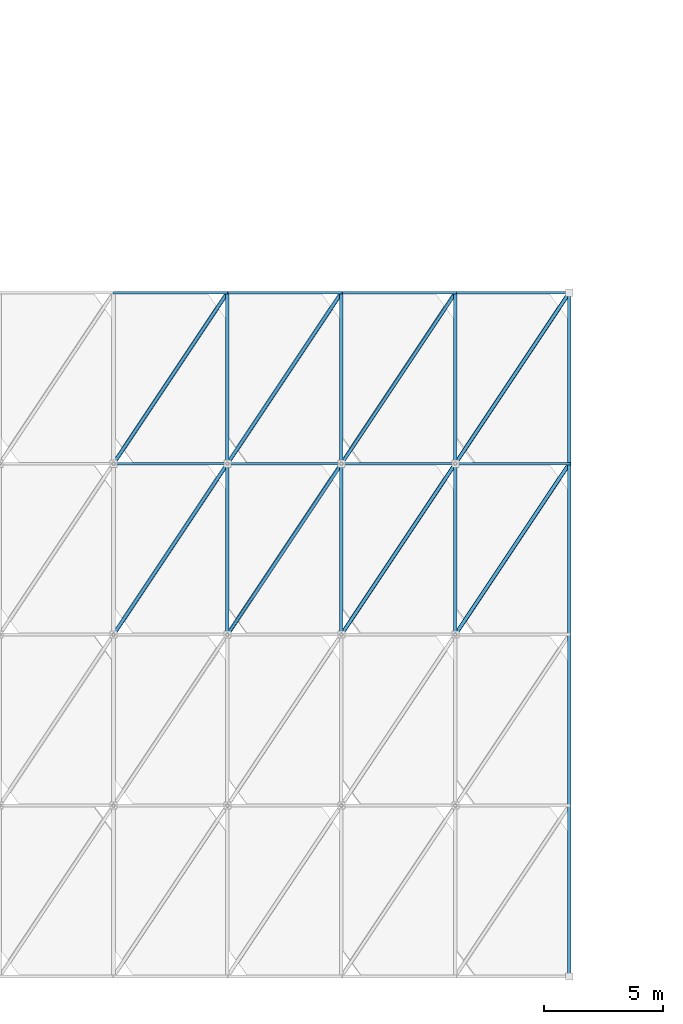
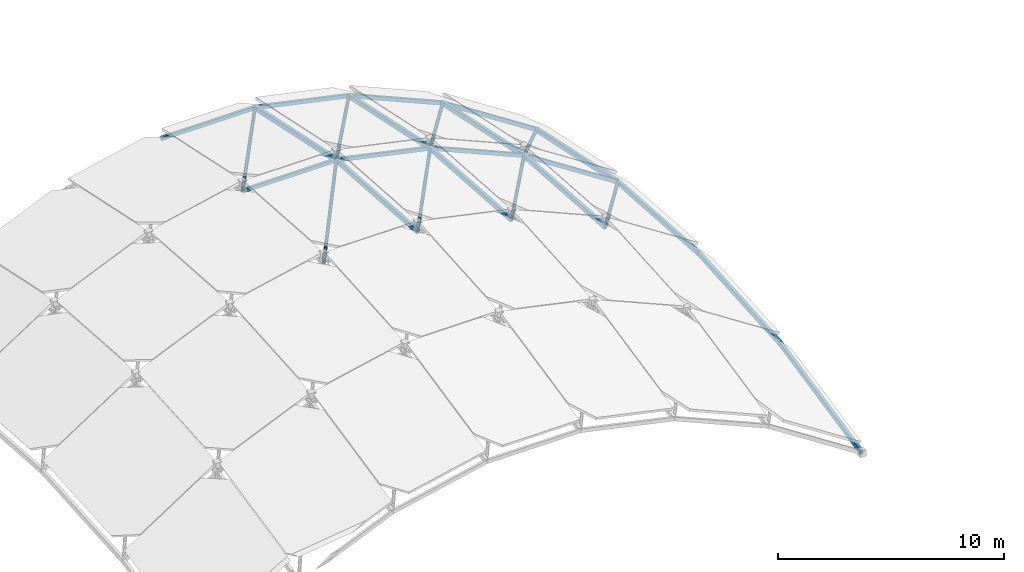
# One storey, part 2 of 9: 26 members.
"""IFC4 building model written with IfcOpenShell, lengths in metres."""

from ifc_helpers import new_model, si_unit, direction, frame, origin, origin_2d, place, context, subcontext, project, spatial, hollow_rectangle, hollow_circle, extrude, material, material_profile, profile_set, type_object, element, save


model = new_model("IFC4")

# Units and contexts
model_context = context("Model", 3, precision=1e-05, world=origin(), true_north=direction((0.0, 1.0)))
body_context = subcontext(model_context, "Body", "Model", "MODEL_VIEW")
ifc_project = project(units=[si_unit("LENGTHUNIT", "METRE"), si_unit("AREAUNIT", "SQUARE_METRE"), si_unit("VOLUMEUNIT", "CUBIC_METRE"), si_unit("PLANEANGLEUNIT", "RADIAN"), si_unit("MASSUNIT", "GRAM", prefix="KILO")], contexts=[model_context])

# Site, building, storey
site_placement = place(None, origin())
site = spatial("IfcSite", under=ifc_project, at=site_placement, CompositionType="ELEMENT")
building_placement = place(site_placement, origin())
building = spatial("IfcBuilding", under=site, at=building_placement, Name="Kahlenmark Community Centre", CompositionType="ELEMENT")
storey_placement = place(building_placement, frame((0.0, 0.0, 25.199951171875)))
storey = spatial("IfcBuildingStorey", under=building, at=storey_placement, Name="RF", CompositionType="ELEMENT", Elevation=25.199951171875)

# Members
ifc_material = material(Name="Steel S355", Category="steel")
ifc_material_profile_1 = material_profile(ifc_material, hollow_circle(Radius=0.084228515625, WallThickness=0.008056640625, at=origin_2d()), Name="CHS 168.3x8")
ifc_profile_set_1 = profile_set([ifc_material_profile_1], Name="Steel S355")
member_type_1 = type_object("IfcMemberType", Name="MT-BRACE-CHS168.3x8", PredefinedType="BRACE", material=ifc_profile_set_1)
member_1_placement = place(storey_placement, frame((26.800048828125, 23.199951171875, 1.069580078125), z_axis=(0.553780322332, 0.830656400279, -0.057769362754), x_axis=(-0.832045953765, 0.554706707029, 0.0)))
element("IfcMember", 1, at=member_1_placement, inside=storey, type_object=member_type_1, Name="RF brace GS-DIAG", PredefinedType="BRACE", context=body_context, shape_type="SweptSolid", body=[
    extrude(hollow_circle(Radius=0.084228515625, WallThickness=0.008056640625, at=origin_2d()), origin(), (0.0, 0.0, 1.0), 8.667724609375),
])
member_2_placement = place(storey_placement, frame((26.800048828125, 30.39990234375, 0.56884765625), z_axis=(0.546192358301, 0.819302427701, -0.174405962332), x_axis=(-0.832054634757, 0.554693685541, 0.0)))
element("IfcMember", 2, at=member_2_placement, inside=storey, type_object=member_type_1, Name="RF brace GS-DIAG", PredefinedType="BRACE", context=body_context, shape_type="SweptSolid", body=[
    extrude(hollow_circle(Radius=0.084228515625, WallThickness=0.008056640625, at=origin_2d()), origin(), (0.0, 0.0, 1.0), 8.7880859375),
])
member_3_placement = place(storey_placement, frame((31.60009765625, 23.199951171875, 1.069580078125), z_axis=(0.546105729089, 0.819186371137, -0.175220495376), x_axis=(-0.832058975466, 0.554687174313, 0.0)))
element("IfcMember", 3, at=member_3_placement, inside=storey, type_object=member_type_1, Name="RF brace GS-DIAG", PredefinedType="BRACE", context=body_context, shape_type="SweptSolid", body=[
    extrude(hollow_circle(Radius=0.084228515625, WallThickness=0.008056640625, at=origin_2d()), origin(), (0.0, 0.0, 1.0), 8.7890625),
])
member_4_placement = place(storey_placement, frame((31.60009765625, 30.39990234375, 0.56884765625), z_axis=(0.531681383636, 0.797576163081, -0.284933624516), x_axis=(-0.832067655982, 0.554674152876, 0.0)))
element("IfcMember", 4, at=member_4_placement, inside=storey, type_object=member_type_1, Name="RF brace GS-DIAG", PredefinedType="BRACE", context=body_context, shape_type="SweptSolid", body=[
    extrude(hollow_circle(Radius=0.084228515625, WallThickness=0.008056640625, at=origin_2d()), origin(), (0.0, 0.0, 1.0), 9.027587890625),
])
member_5_placement = place(storey_placement, frame((36.39990234375, 23.199951171875, 0.0302734375), z_axis=(0.531589200155, 0.797370281357, -0.285680865105), x_axis=(-0.832045953765, 0.554706707029, 0.0)))
element("IfcMember", 5, at=member_5_placement, inside=storey, type_object=member_type_1, Name="RF brace GS-DIAG", PredefinedType="BRACE", context=body_context, shape_type="SweptSolid", body=[
    extrude(hollow_circle(Radius=0.084228515625, WallThickness=0.008056640625, at=origin_2d()), origin(), (0.0, 0.0, 1.0), 9.029541015625),
])
member_6_placement = place(storey_placement, frame((36.39990234375, 30.39990234375, -0.470458984375), z_axis=(0.511900060149, 0.767863108383, -0.385155261166), x_axis=(-0.832054634757, 0.554693685541, 0.0)))
element("IfcMember", 6, at=member_6_placement, inside=storey, type_object=member_type_1, Name="RF brace GS-DIAG", PredefinedType="BRACE", context=body_context, shape_type="SweptSolid", body=[
    extrude(hollow_circle(Radius=0.084228515625, WallThickness=0.008056640625, at=origin_2d()), origin(), (0.0, 0.0, 1.0), 9.376953125),
])
member_7_placement = place(storey_placement, frame((41.199951171875, 23.199951171875, -2.04833984375), z_axis=(0.511756198163, 0.767621282744, -0.385827888987), x_axis=(-0.832045953765, 0.554706707029, 0.0)))
element("IfcMember", 7, at=member_7_placement, inside=storey, type_object=member_type_1, Name="RF brace GS-DIAG", PredefinedType="BRACE", context=body_context, shape_type="SweptSolid", body=[
    extrude(hollow_circle(Radius=0.084228515625, WallThickness=0.008056640625, at=origin_2d()), origin(), (0.0, 0.0, 1.0), 9.379638671875),
])
member_8_placement = place(storey_placement, frame((41.199951171875, 30.39990234375, -2.54931640625), z_axis=(0.488602524078, 0.732916211796, -0.473393493778), x_axis=(-0.832054634757, 0.554693685541, 0.0)))
element("IfcMember", 8, at=member_8_placement, inside=storey, type_object=member_type_1, Name="RF brace GS-DIAG", PredefinedType="BRACE", context=body_context, shape_type="SweptSolid", body=[
    extrude(hollow_circle(Radius=0.084228515625, WallThickness=0.008056640625, at=origin_2d()), origin(), (0.0, 0.0, 1.0), 9.823974609375),
])
ifc_material_profile_2 = material_profile(ifc_material, hollow_rectangle(XDim=0.1201171875, YDim=0.199951171875, WallThickness=0.008056640625, at=origin_2d()), Name="RHS 200x120x8")
ifc_profile_set_2 = profile_set([ifc_material_profile_2], Name="Steel S355")
member_type_2 = type_object("IfcMemberType", Name="MT-RAFTER-RHS200x120x8", PredefinedType="RAFTER", material=ifc_profile_set_2)
member_9_placement = place(storey_placement, frame((26.800048828125, 30.39990234375, 0.56884765625), z_axis=(1.0, 0.0, 0.0), x_axis=(0.0, 1.0, 0.0)))
element("IfcMember", 9, at=member_9_placement, inside=storey, type_object=member_type_2, Name="RF rafter GS-RIB-L", PredefinedType="RAFTER", context=body_context, shape_type="SweptSolid", body=[
    extrude(hollow_rectangle(XDim=0.1201171875, YDim=0.199951171875, WallThickness=0.008056640625, at=origin_2d()), origin(), (0.0, 0.0, 1.0), 4.800048828125),
])
member_10_placement = place(storey_placement, frame((31.60009765625, 30.39990234375, 0.56884765625), z_axis=(0.977350566767, 0.0, -0.211626722417), x_axis=(0.0, 1.0, 0.0)))
element("IfcMember", 10, at=member_10_placement, inside=storey, type_object=member_type_2, Name="RF rafter GS-RIB-L", PredefinedType="RAFTER", context=body_context, shape_type="SweptSolid", body=[
    extrude(hollow_rectangle(XDim=0.1201171875, YDim=0.199951171875, WallThickness=0.008056640625, at=origin_2d()), origin(), (0.0, 0.0, 1.0), 4.9111328125),
])
member_11_placement = place(storey_placement, frame((36.39990234375, 30.39990234375, -0.470458984375), z_axis=(0.917636770837, 0.0, -0.397420126325), x_axis=(0.0, 1.0, 0.0)))
element("IfcMember", 11, at=member_11_placement, inside=storey, type_object=member_type_2, Name="RF rafter GS-RIB-L", PredefinedType="RAFTER", context=body_context, shape_type="SweptSolid", body=[
    extrude(hollow_rectangle(XDim=0.1201171875, YDim=0.199951171875, WallThickness=0.008056640625, at=origin_2d()), origin(), (0.0, 0.0, 1.0), 5.23095703125),
])
member_12_placement = place(storey_placement, frame((41.199951171875, 30.39990234375, -2.54931640625), z_axis=(0.838612166546, 0.0, -0.54472895473), x_axis=(0.0, 1.0, 0.0)))
element("IfcMember", 12, at=member_12_placement, inside=storey, type_object=member_type_2, Name="RF rafter GS-RIB-L", PredefinedType="RAFTER", context=body_context, shape_type="SweptSolid", body=[
    extrude(hollow_rectangle(XDim=0.1201171875, YDim=0.199951171875, WallThickness=0.008056640625, at=origin_2d()), origin(), (0.0, 0.0, 1.0), 5.723876953125),
])
member_13_placement = place(storey_placement, frame((26.800048828125, 37.60009765625, -0.9638671875), z_axis=(1.0, 0.0, 0.0), x_axis=(0.0, 1.0, 0.0)))
element("IfcMember", 13, at=member_13_placement, inside=storey, type_object=member_type_2, Name="RF rafter GS-RIB-L", PredefinedType="RAFTER", context=body_context, shape_type="SweptSolid", body=[
    extrude(hollow_rectangle(XDim=0.1201171875, YDim=0.199951171875, WallThickness=0.008056640625, at=origin_2d()), origin(), (0.0, 0.0, 1.0), 4.800048828125),
])
member_14_placement = place(storey_placement, frame((31.60009765625, 37.60009765625, -0.9638671875), z_axis=(0.977340283481, 0.0, -0.211674207887), x_axis=(0.0, 1.0, 0.0)))
element("IfcMember", 14, at=member_14_placement, inside=storey, type_object=member_type_2, Name="RF rafter GS-RIB-L", PredefinedType="RAFTER", context=body_context, shape_type="SweptSolid", body=[
    extrude(hollow_rectangle(XDim=0.1201171875, YDim=0.199951171875, WallThickness=0.008056640625, at=origin_2d()), origin(), (0.0, 0.0, 1.0), 4.9111328125),
])
member_15_placement = place(storey_placement, frame((36.39990234375, 37.60009765625, -2.00341796875), z_axis=(0.917653791342, 0.0, -0.39738082394), x_axis=(0.0, 1.0, 0.0)))
element("IfcMember", 15, at=member_15_placement, inside=storey, type_object=member_type_2, Name="RF rafter GS-RIB-L", PredefinedType="RAFTER", context=body_context, shape_type="SweptSolid", body=[
    extrude(hollow_rectangle(XDim=0.1201171875, YDim=0.199951171875, WallThickness=0.008056640625, at=origin_2d()), origin(), (0.0, 0.0, 1.0), 5.230712890625),
])
member_16_placement = place(storey_placement, frame((41.199951171875, 37.60009765625, -4.08203125), z_axis=(0.838612166546, 0.0, -0.54472895473), x_axis=(0.0, 1.0, 0.0)))
element("IfcMember", 16, at=member_16_placement, inside=storey, type_object=member_type_2, Name="RF rafter GS-RIB-L", PredefinedType="RAFTER", context=body_context, shape_type="SweptSolid", body=[
    extrude(hollow_rectangle(XDim=0.1201171875, YDim=0.199951171875, WallThickness=0.008056640625, at=origin_2d()), origin(), (0.0, 0.0, 1.0), 5.723876953125),
])
ifc_material_profile_3 = material_profile(ifc_material, hollow_rectangle(XDim=0.14990234375, YDim=0.25, WallThickness=0.010009765625, at=origin_2d()), Name="RHS 250x150x10")
ifc_profile_set_3 = profile_set([ifc_material_profile_3], Name="Steel S355")
member_type_3 = type_object("IfcMemberType", Name="MT-RAFTER-RHS250x150x10", PredefinedType="RAFTER", material=ifc_profile_set_3)
member_17_placement = place(storey_placement, frame((31.60009765625, 23.199951171875, 1.069580078125), z_axis=(0.0, 0.997590369881, -0.069379059667), x_axis=(-1.0, 0.0, 0.0)))
element("IfcMember", 17, at=member_17_placement, inside=storey, type_object=member_type_3, Name="RF rafter GS-RIB-T", PredefinedType="RAFTER", context=body_context, shape_type="SweptSolid", body=[
    extrude(hollow_rectangle(XDim=0.14990234375, YDim=0.25, WallThickness=0.010009765625, at=origin_2d()), origin(), (0.0, 0.0, 1.0), 7.21728515625),
])
member_18_placement = place(storey_placement, frame((31.60009765625, 30.39990234375, 0.56884765625), z_axis=(0.0, 0.978084953882, -0.208206203054), x_axis=(-1.0, 0.0, 0.0)))
element("IfcMember", 18, at=member_18_placement, inside=storey, type_object=member_type_3, Name="RF rafter GS-RIB-T", PredefinedType="RAFTER", context=body_context, shape_type="SweptSolid", body=[
    extrude(hollow_rectangle(XDim=0.14990234375, YDim=0.25, WallThickness=0.010009765625, at=origin_2d()), origin(), (0.0, 0.0, 1.0), 7.361572265625),
])
member_19_placement = place(storey_placement, frame((36.39990234375, 23.199951171875, 0.0302734375), z_axis=(0.0, 0.997590369881, -0.069379059667), x_axis=(-1.0, 0.0, 0.0)))
element("IfcMember", 19, at=member_19_placement, inside=storey, type_object=member_type_3, Name="RF rafter GS-RIB-T", PredefinedType="RAFTER", context=body_context, shape_type="SweptSolid", body=[
    extrude(hollow_rectangle(XDim=0.14990234375, YDim=0.25, WallThickness=0.010009765625, at=origin_2d()), origin(), (0.0, 0.0, 1.0), 7.21728515625),
])
member_20_placement = place(storey_placement, frame((36.39990234375, 30.39990234375, -0.470458984375), z_axis=(0.0, 0.978078199701, -0.20823792947), x_axis=(-1.0, 0.0, 0.0)))
element("IfcMember", 20, at=member_20_placement, inside=storey, type_object=member_type_3, Name="RF rafter GS-RIB-T", PredefinedType="RAFTER", context=body_context, shape_type="SweptSolid", body=[
    extrude(hollow_rectangle(XDim=0.14990234375, YDim=0.25, WallThickness=0.010009765625, at=origin_2d()), origin(), (0.0, 0.0, 1.0), 7.361572265625),
])
member_21_placement = place(storey_placement, frame((41.199951171875, 23.199951171875, -2.04833984375), z_axis=(0.0, 0.997588028092, -0.069412723666), x_axis=(-1.0, 0.0, 0.0)))
element("IfcMember", 21, at=member_21_placement, inside=storey, type_object=member_type_3, Name="RF rafter GS-RIB-T", PredefinedType="RAFTER", context=body_context, shape_type="SweptSolid", body=[
    extrude(hollow_rectangle(XDim=0.14990234375, YDim=0.25, WallThickness=0.010009765625, at=origin_2d()), origin(), (0.0, 0.0, 1.0), 7.21728515625),
])
member_22_placement = place(storey_placement, frame((41.199951171875, 30.39990234375, -2.54931640625), z_axis=(0.0, 0.978084953882, -0.208206203054), x_axis=(-1.0, 0.0, 0.0)))
element("IfcMember", 22, at=member_22_placement, inside=storey, type_object=member_type_3, Name="RF rafter GS-RIB-T", PredefinedType="RAFTER", context=body_context, shape_type="SweptSolid", body=[
    extrude(hollow_rectangle(XDim=0.14990234375, YDim=0.25, WallThickness=0.010009765625, at=origin_2d()), origin(), (0.0, 0.0, 1.0), 7.361572265625),
])
member_23_placement = place(storey_placement, frame((46.0, 8.800048828125, -7.199951171875), z_axis=(0.0, 0.97808351614, 0.208212956981), x_axis=(-1.0, 0.0, 0.0)))
element("IfcMember", 23, at=member_23_placement, inside=storey, type_object=member_type_3, Name="RF rafter GS-RIB-T", PredefinedType="RAFTER", context=body_context, shape_type="SweptSolid", body=[
    extrude(hollow_rectangle(XDim=0.14990234375, YDim=0.25, WallThickness=0.010009765625, at=origin_2d()), origin(), (0.0, 0.0, 1.0), 7.361328125),
])
for number, where, z_axis, x_axis, name in (
    (24, (46.0, 16.0, -5.667236328125), (0.0, 0.997588028092, 0.069412723666), (-1.0, 0.0, 0.0), "RF rafter GS-RIB-T"),
    (25, (46.0, 23.199951171875, -5.166259765625), (0.0, 0.997588028092, -0.069412723666), (-1.0, 0.0, 0.0), "RF rafter GS-RIB-T"),
):
    element("IfcMember", number, at=place(storey_placement, frame(where, z_axis=z_axis, x_axis=x_axis)), inside=storey, type_object=member_type_3, Name=name, PredefinedType="RAFTER", context=body_context, shape_type="SweptSolid", body=[
        extrude(hollow_rectangle(XDim=0.14990234375, YDim=0.25, WallThickness=0.010009765625, at=origin_2d()), origin(), (0.0, 0.0, 1.0), 7.21728515625),
    ])
member_24_placement = place(storey_placement, frame((46.0, 30.39990234375, -5.667236328125), z_axis=(0.0, 0.978084953882, -0.208206203054), x_axis=(-1.0, 0.0, 0.0)))
element("IfcMember", 26, at=member_24_placement, inside=storey, type_object=member_type_3, Name="RF rafter GS-RIB-T", PredefinedType="RAFTER", context=body_context, shape_type="SweptSolid", body=[
    extrude(hollow_rectangle(XDim=0.14990234375, YDim=0.25, WallThickness=0.010009765625, at=origin_2d()), origin(), (0.0, 0.0, 1.0), 7.361572265625),
])

save(model, "model.ifc")
